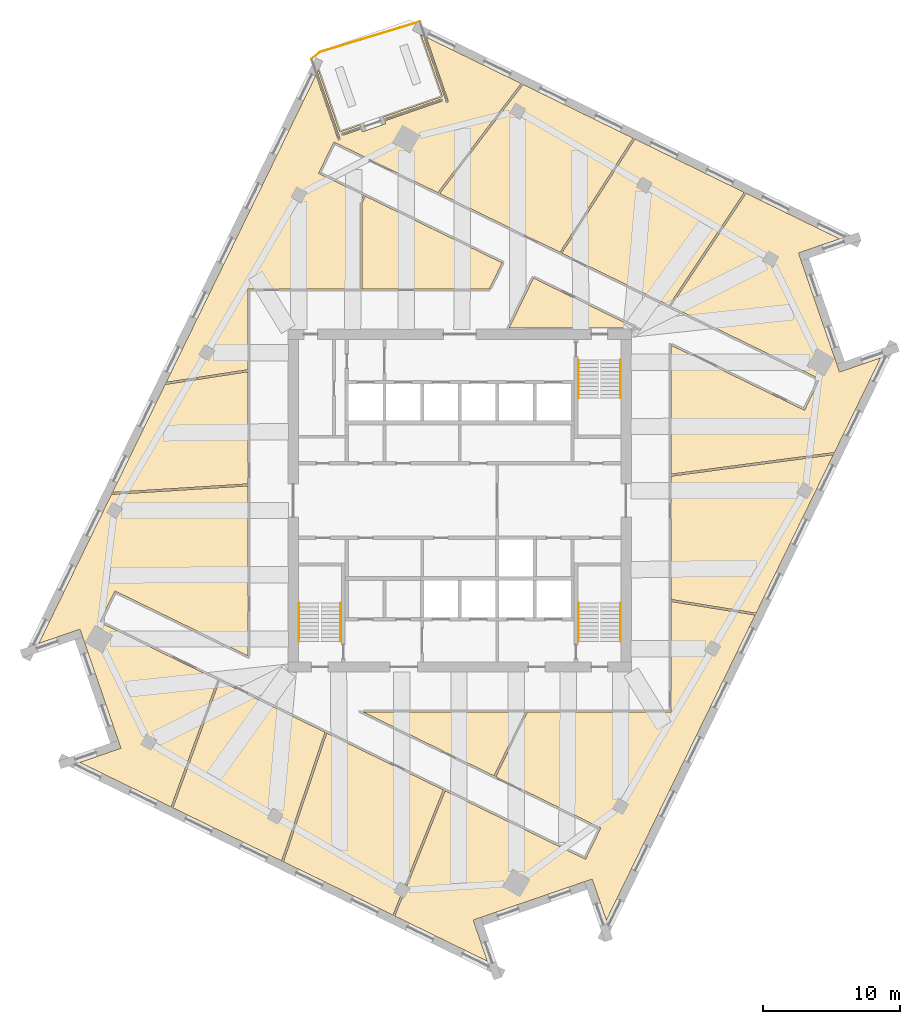
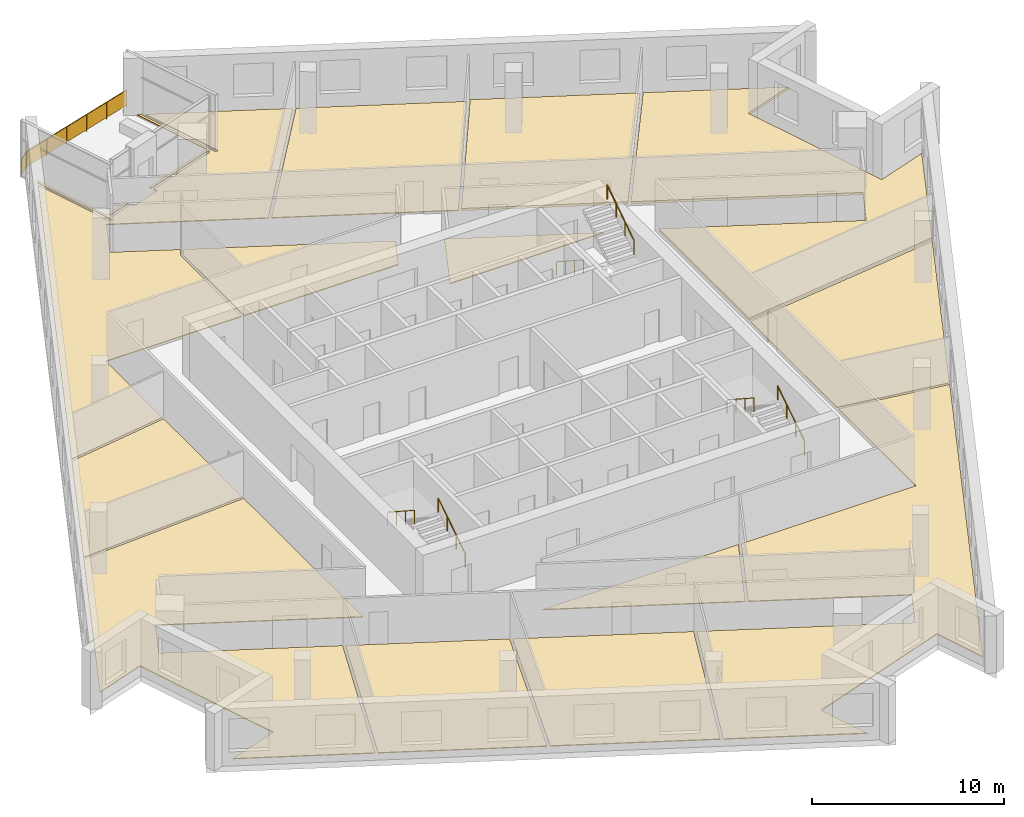
# One storey, part 12 of 13: 13 coverings, 7 railings.
"""IFC4 building model written with IfcOpenShell, lengths in metres."""

from ifc_helpers import new_model, si_unit, direction, frame, origin, origin_2d, place, context, subcontext, project, spatial, polyline, rectangle, circle, outline, extrude, material, layer, layer_set, type_object, element, save


model = new_model("IFC4")

# Units and contexts
model_context = context("Model", 3, precision=1e-05, world=origin(), true_north=direction((0.0, 1.0)))
body_context = subcontext(model_context, "Body", "Model", "MODEL_VIEW")
ifc_project = project(units=[si_unit("LENGTHUNIT", "METRE"), si_unit("AREAUNIT", "SQUARE_METRE"), si_unit("VOLUMEUNIT", "CUBIC_METRE"), si_unit("PLANEANGLEUNIT", "RADIAN"), si_unit("MASSUNIT", "GRAM", prefix="KILO")], contexts=[model_context])

# Site, building, storey
site_placement = place(None, origin())
site = spatial("IfcSite", under=ifc_project, at=site_placement, CompositionType="ELEMENT")
building_placement = place(site_placement, origin())
building = spatial("IfcBuilding", under=site, at=building_placement, Name="Dilmun Exchange Tower", CompositionType="ELEMENT")
storey_placement = place(building_placement, frame((0.0, 0.0, 286.89990234375)))
storey = spatial("IfcBuildingStorey", under=building, at=storey_placement, Name="L68", CompositionType="ELEMENT", Elevation=286.89990234375)

# Coverings
ifc_material_1 = material(Name="Carpet floor finish 50")
ifc_layer_1 = layer(ifc_material_1, 0.050048828125)
ifc_layer_set_1 = layer_set([ifc_layer_1], Name="Carpet floor finish 50")
covering_type_1 = type_object("IfcCoveringType", Name="Carpet floor finish 50", PredefinedType="FLOORING", material=ifc_layer_set_1)
covering_1_placement = place(storey_placement, origin())
element("IfcCovering", 1, at=covering_1_placement, inside=storey, type_object=covering_type_1, Name="Carpet floor finish 50 Regulator office", PredefinedType="FLOORING", context=body_context, shape_type="SweptSolid", body=[
    extrude(outline(polyline([(-15.47509765625, 1.076416015625), (-15.47509765625, -11.362548828125), (-25.224365234375, -6.607421875), (-26.34228515625, -8.8994140625), (-17.70556640625, -13.11181640625), (-21.1181640625, -22.408203125), (-27.798095703125, -19.150390625), (-24.789306640625, -18.1142578125), (-24.7890625, -18.1142578125), (-24.788818359375, -18.114013671875), (-24.788818359375, -18.114013671875), (-24.78857421875, -18.114013671875), (-24.78857421875, -18.11376953125), (-24.788330078125, -18.113525390625), (-24.7880859375, -18.11328125), (-24.7880859375, -18.11328125), (-24.7880859375, -18.113037109375), (-24.7880859375, -18.11279296875), (-24.7880859375, -18.11279296875), (-24.787841796875, -18.112548828125), (-24.787841796875, -18.1123046875), (-24.787841796875, -18.112060546875), (-24.7880859375, -18.11181640625), (-24.7880859375, -18.11181640625), (-24.9833984375, -17.544677734375), (-24.9833984375, -17.544677734375), (-24.9833984375, -17.54443359375), (-27.587646484375, -9.980712890625), (-27.587646484375, -9.980712890625), (-27.587890625, -9.98046875), (-27.587890625, -9.980224609375), (-27.783203125, -9.412841796875), (-27.783203125, -9.41259765625), (-27.783203125, -9.41259765625), (-27.783447265625, -9.412353515625), (-27.78369140625, -9.412109375), (-27.78369140625, -9.412109375), (-27.783935546875, -9.412109375), (-27.783935546875, -9.411865234375), (-27.7841796875, -9.41162109375), (-27.784423828125, -9.41162109375), (-27.78466796875, -9.41162109375), (-27.784912109375, -9.41162109375), (-27.784912109375, -9.41162109375), (-27.78515625, -9.41162109375), (-27.785400390625, -9.41162109375), (-27.785400390625, -9.41162109375), (-27.78564453125, -9.41162109375), (-30.79443359375, -10.44775390625), (-25.48046875, 0.447998046875), (-15.47509765625, 1.076416015625)])), origin(), (0.0, 0.0, 1.0), 0.050048828125),
])
covering_2_placement = place(storey_placement, origin())
element("IfcCovering", 2, at=covering_2_placement, inside=storey, type_object=covering_type_1, Name="Carpet floor finish 50 Meeting room 1", PredefinedType="FLOORING", context=body_context, shape_type="SweptSolid", body=[
    extrude(outline(polyline([(-15.47509765625, 9.432861328125), (-15.47509765625, 1.226806640625), (-25.40478515625, 0.60302734375), (-21.556884765625, 8.4921875), (-15.47509765625, 9.432861328125)])), origin(), (0.0, 0.0, 1.0), 0.050048828125),
])
covering_3_placement = place(storey_placement, origin())
element("IfcCovering", 3, at=covering_3_placement, inside=storey, type_object=covering_type_1, Name="Carpet floor finish 50 Meeting room 2", PredefinedType="FLOORING", context=body_context, shape_type="SweptSolid", body=[
    extrude(outline(polyline([(-17.570068359375, -13.177978515625), (-9.858154296875, -16.939208984375), (-13.024658203125, -26.355712890625), (-20.982666015625, -22.474365234375), (-17.570068359375, -13.177978515625)])), origin(), (0.0, 0.0, 1.0), 0.050048828125),
])
covering_4_placement = place(storey_placement, origin())
element("IfcCovering", 4, at=covering_4_placement, inside=storey, type_object=covering_type_1, Name="Carpet floor finish 50 Garden lounge", PredefinedType="FLOORING", context=body_context, shape_type="SweptSolid", body=[
    extrude(outline(polyline([(-15.47509765625, 9.584716796875), (-21.476806640625, 8.656494140625), (-10.52099609375, 31.119384765625), (-8.888916015625, 26.37939453125), (-8.888916015625, 26.379150390625), (-8.888671875, 26.37890625), (-8.888671875, 26.37890625), (-8.888427734375, 26.378662109375), (-8.88818359375, 26.37841796875), (-8.88818359375, 26.37841796875), (-8.887939453125, 26.37841796875), (-8.8876953125, 26.378173828125), (-8.8876953125, 26.378173828125), (-8.887451171875, 26.3779296875), (-8.88720703125, 26.3779296875), (-8.88720703125, 26.3779296875), (-8.886962890625, 26.3779296875), (-8.88671875, 26.3779296875), (-8.886474609375, 26.3779296875), (-8.88623046875, 26.378173828125), (-8.735107421875, 26.43017578125), (-8.73486328125, 26.43017578125), (-8.734619140625, 26.430419921875), (-8.734619140625, 26.430419921875), (-8.734375, 26.430419921875), (-8.734130859375, 26.4306640625), (-8.734130859375, 26.430908203125), (-8.73388671875, 26.430908203125), (-8.73388671875, 26.43115234375), (-8.73388671875, 26.431396484375), (-8.733642578125, 26.431396484375), (-8.733642578125, 26.431640625), (-8.733642578125, 26.431884765625), (-8.733642578125, 26.43212890625), (-8.733642578125, 26.432373046875), (-8.733642578125, 26.4326171875), (-8.73388671875, 26.4326171875), (-10.419189453125, 31.327880859375), (-10.33056640625, 31.509521484375), (-8.76953125, 26.9755859375), (-7.29248046875, 27.484375), (-7.24609375, 27.34912109375), (-8.652099609375, 26.864990234375), (-8.65234375, 26.864990234375), (-8.652587890625, 26.86474609375), (-8.652587890625, 26.86474609375), (-8.65283203125, 26.864501953125), (-8.65283203125, 26.864501953125), (-8.653076171875, 26.8642578125), (-8.653076171875, 26.864013671875), (-8.6533203125, 26.864013671875), (-8.6533203125, 26.86376953125), (-8.6533203125, 26.863525390625), (-8.6533203125, 26.86328125), (-8.6533203125, 26.86328125), (-8.6533203125, 26.863037109375), (-8.6533203125, 26.86279296875), (-8.6533203125, 26.862548828125), (-8.6533203125, 26.8623046875), (-8.601318359375, 26.711181640625), (-8.601318359375, 26.7109375), (-8.60107421875, 26.710693359375), (-8.60107421875, 26.710693359375), (-8.600830078125, 26.71044921875), (-8.6005859375, 26.710205078125), (-8.6005859375, 26.710205078125), (-8.600341796875, 26.710205078125), (-8.60009765625, 26.7099609375), (-8.60009765625, 26.7099609375), (-8.599853515625, 26.709716796875), (-8.599609375, 26.709716796875), (-8.599609375, 26.709716796875), (-8.599365234375, 26.709716796875), (-8.59912109375, 26.709716796875), (-8.598876953125, 26.709716796875), (-8.5986328125, 26.7099609375), (-7.192626953125, 27.194091796875), (-7.12158203125, 26.98779296875), (-7.12158203125, 26.98779296875), (-7.12158203125, 26.987548828125), (-7.121337890625, 26.9873046875), (-7.12109375, 26.9873046875), (-7.12109375, 26.987060546875), (-7.120849609375, 26.987060546875), (-7.120849609375, 26.98681640625), (-7.12060546875, 26.98681640625), (-7.120361328125, 26.98681640625), (-7.1201171875, 26.986572265625), (-7.1201171875, 26.986572265625), (-7.119873046875, 26.986572265625), (-7.11962890625, 26.986572265625), (-7.119384765625, 26.986572265625), (-7.119384765625, 26.986572265625), (-7.119140625, 26.98681640625), (-5.417236328125, 27.57275390625), (-5.4169921875, 27.57275390625), (-5.416748046875, 27.57275390625), (-5.416748046875, 27.572998046875), (-5.41650390625, 27.572998046875), (-5.41650390625, 27.5732421875), (-5.416259765625, 27.5732421875), (-5.416015625, 27.573486328125), (-5.416015625, 27.57373046875), (-5.416015625, 27.57373046875), (-5.416015625, 27.573974609375), (-5.416015625, 27.57421875), (-5.415771484375, 27.574462890625), (-5.415771484375, 27.57470703125), (-5.415771484375, 27.57470703125), (-5.416015625, 27.574951171875), (-5.416015625, 27.5751953125), (-5.48681640625, 27.78125), (-1.244140625, 29.2421875), (-1.243896484375, 29.2421875), (-1.243896484375, 29.2421875), (-1.24365234375, 29.242431640625), (-1.243408203125, 29.24267578125), (-1.243408203125, 29.24267578125), (-1.243408203125, 29.242919921875), (-1.2431640625, 29.242919921875), (-1.2431640625, 29.2431640625), (-1.242919921875, 29.243408203125), (-1.242919921875, 29.243408203125), (-1.242919921875, 29.24365234375), (-1.242919921875, 29.243896484375), (-1.242919921875, 29.244140625), (-1.242919921875, 29.244384765625), (-1.242919921875, 29.244384765625), (-1.242919921875, 29.24462890625), (-1.295166015625, 29.39599609375), (-1.295166015625, 29.396240234375), (-1.295166015625, 29.396240234375), (-1.29541015625, 29.396484375), (-1.29541015625, 29.396728515625), (-1.295654296875, 29.396728515625), (-1.295654296875, 29.39697265625), (-1.2958984375, 29.39697265625), (-1.296142578125, 29.397216796875), (-1.296142578125, 29.397216796875), (-1.29638671875, 29.397216796875), (-1.296630859375, 29.397216796875), (-1.296875, 29.397216796875), (-1.297119140625, 29.397216796875), (-1.297119140625, 29.397216796875), (-1.29736328125, 29.397216796875), (-1.297607421875, 29.397216796875), (-5.540283203125, 27.936279296875), (-5.5869140625, 28.071533203125), (-1.273193359375, 29.556884765625), (-2.83447265625, 34.0908203125), (-2.652587890625, 34.002197265625), (-0.967041015625, 29.10693359375), (-0.967041015625, 29.106689453125), (-0.967041015625, 29.106689453125), (-0.966796875, 29.1064453125), (-0.966796875, 29.106201171875), (-0.966552734375, 29.106201171875), (-0.966552734375, 29.106201171875), (-0.96630859375, 29.10595703125), (-0.966064453125, 29.10595703125), (-0.9658203125, 29.105712890625), (-0.9658203125, 29.105712890625), (-0.965576171875, 29.105712890625), (-0.96533203125, 29.105712890625), (-0.965087890625, 29.105712890625), (-0.965087890625, 29.105712890625), (-0.96484375, 29.105712890625), (-0.964599609375, 29.105712890625), (-0.813232421875, 29.157958984375), (-0.81298828125, 29.157958984375), (-0.81298828125, 29.157958984375), (-0.812744140625, 29.158203125), (-0.8125, 29.158203125), (-0.8125, 29.158447265625), (-0.8125, 29.158447265625), (-0.812255859375, 29.15869140625), (-0.812255859375, 29.158935546875), (-0.81201171875, 29.158935546875), (-0.81201171875, 29.1591796875), (-0.81201171875, 29.159423828125), (-0.81201171875, 29.15966796875), (-0.81201171875, 29.159912109375), (-0.81201171875, 29.159912109375), (-0.81201171875, 29.16015625), (-0.81201171875, 29.160400390625), (-2.444091796875, 33.900390625), (4.496826171875, 30.514892578125), (-1.604248046875, 22.52978515625), (-9.205078125, 26.23681640625), (-10.322998046875, 23.945068359375), (-7.03076171875, 22.33935546875), (-7.28466796875, 21.818603515625), (-7.28466796875, 15.47509765625), (-15.47509765625, 15.47509765625), (-15.47509765625, 9.584716796875)])), origin(), (0.0, 0.0, 1.0), 0.050048828125),
])
covering_5_placement = place(storey_placement, origin())
element("IfcCovering", 5, at=covering_5_placement, inside=storey, type_object=covering_type_1, Name="Carpet floor finish 50 Training room 1", PredefinedType="FLOORING", context=body_context, shape_type="SweptSolid", body=[
    extrude(outline(polyline([(-9.72216796875, -17.005615234375), (-1.2001953125, -21.162109375), (-4.884521484375, -30.325927734375), (-12.888671875, -26.422119140625), (-9.72216796875, -17.005615234375)])), origin(), (0.0, 0.0, 1.0), 0.050048828125),
])
covering_6_placement = place(storey_placement, origin())
element("IfcCovering", 6, at=covering_6_placement, inside=storey, type_object=covering_type_1, Name="Carpet floor finish 50 Meeting room 3", PredefinedType="FLOORING", context=body_context, shape_type="SweptSolid", body=[
    extrude(outline(polyline([(-7.134521484375, 15.47509765625), (-7.134521484375, 21.7841796875), (-6.89599609375, 22.2734375), (3.10107421875, 17.397705078125), (2.163330078125, 15.47509765625), (-7.134521484375, 15.47509765625)])), origin(), (0.0, 0.0, 1.0), 0.050048828125),
])
covering_7_placement = place(storey_placement, origin())
element("IfcCovering", 7, at=covering_7_placement, inside=storey, type_object=covering_type_1, Name="Carpet floor finish 50 Meeting room 4", PredefinedType="FLOORING", context=body_context, shape_type="SweptSolid", body=[
    extrude(outline(polyline([(4.77734375, -15.47509765625), (2.505859375, -20.13232421875), (-7.043212890625, -15.47509765625), (4.77734375, -15.47509765625)])), origin(), (0.0, 0.0, 1.0), 0.050048828125),
])
covering_8_placement = place(storey_placement, origin())
element("IfcCovering", 8, at=covering_8_placement, inside=storey, type_object=covering_type_1, Name="Carpet floor finish 50 Research library", PredefinedType="FLOORING", context=body_context, shape_type="SweptSolid", body=[
    extrude(outline(polyline([(-1.06494140625, -21.227783203125), (9.205078125, -26.23681640625), (10.322998046875, -23.945068359375), (2.640625, -20.197998046875), (4.944091796875, -15.47509765625), (15.47509765625, -15.47509765625), (15.47509765625, -7.385009765625), (21.615234375, -8.372802734375), (10.72607421875, -30.69873046875), (9.690185546875, -27.68994140625), (9.690185546875, -27.689697265625), (9.68994140625, -27.689453125), (9.68994140625, -27.689453125), (9.689697265625, -27.689208984375), (9.689697265625, -27.689208984375), (9.689453125, -27.68896484375), (9.689208984375, -27.688720703125), (9.689208984375, -27.688720703125), (9.68896484375, -27.688720703125), (9.688720703125, -27.688720703125), (9.688720703125, -27.688720703125), (9.6884765625, -27.6884765625), (9.688232421875, -27.6884765625), (9.68798828125, -27.688720703125), (9.687744140625, -27.688720703125), (9.6875, -27.688720703125), (9.12060546875, -27.8837890625), (9.12060546875, -27.8837890625), (9.120361328125, -27.884033203125), (1.55615234375, -30.488525390625), (0.98876953125, -30.683837890625), (0.988525390625, -30.68408203125), (0.98828125, -30.68408203125), (0.98828125, -30.68408203125), (0.988037109375, -30.684326171875), (0.988037109375, -30.684326171875), (0.98779296875, -30.6845703125), (0.98779296875, -30.684814453125), (0.987548828125, -30.684814453125), (0.987548828125, -30.68505859375), (0.987548828125, -30.685302734375), (0.987548828125, -30.685546875), (0.9873046875, -30.685546875), (0.9873046875, -30.685791015625), (0.987548828125, -30.68603515625), (0.987548828125, -30.686279296875), (0.987548828125, -30.686279296875), (2.023681640625, -33.6953125), (-4.74951171875, -30.391845703125), (-1.06494140625, -21.227783203125)])), origin(), (0.0, 0.0, 1.0), 0.050048828125),
])
covering_9_placement = place(storey_placement, origin())
element("IfcCovering", 9, at=covering_9_placement, inside=storey, type_object=covering_type_1, Name="Carpet floor finish 50 Training room 2", PredefinedType="FLOORING", context=body_context, shape_type="SweptSolid", body=[
    extrude(outline(polyline([(15.47509765625, -7.233154296875), (15.47509765625, 1.790771484375), (27.33740234375, 3.359375), (21.683837890625, -8.23193359375), (15.47509765625, -7.233154296875)])), origin(), (0.0, 0.0, 1.0), 0.050048828125),
])
ifc_material_2 = material(Name="Raised access floor 150")
ifc_layer_2 = layer(ifc_material_2, 0.14990234375)
ifc_layer_set_2 = layer_set([ifc_layer_2], Name="Raised access floor 150")
covering_type_2 = type_object("IfcCoveringType", Name="Raised access floor 150", PredefinedType="FLOORING", material=ifc_layer_set_2)
covering_10_placement = place(storey_placement, origin())
element("IfcCovering", 10, at=covering_10_placement, inside=storey, type_object=covering_type_2, Name="Raised access floor 150 Analytics room 1", PredefinedType="FLOORING", context=body_context, shape_type="SweptSolid", body=[
    extrude(outline(polyline([(15.3076171875, 14.28125), (7.47216796875, 18.102783203125), (12.822509765625, 26.454345703125), (20.820556640625, 22.553466796875), (15.3076171875, 14.28125)])), origin(), (0.0, 0.0, 1.0), 0.150146484375),
])
covering_11_placement = place(storey_placement, origin())
element("IfcCovering", 11, at=covering_11_placement, inside=storey, type_object=covering_type_2, Name="Raised access floor 150 Analytics room 2", PredefinedType="FLOORING", context=body_context, shape_type="SweptSolid", body=[
    extrude(outline(polyline([(26.34228515625, 8.8994140625), (15.44384765625, 14.21484375), (20.95654296875, 22.487060546875), (27.798095703125, 19.150390625), (24.789306640625, 18.1142578125), (24.7890625, 18.1142578125), (24.788818359375, 18.114013671875), (24.788818359375, 18.114013671875), (24.78857421875, 18.114013671875), (24.78857421875, 18.11376953125), (24.788330078125, 18.113525390625), (24.7880859375, 18.11328125), (24.7880859375, 18.11328125), (24.7880859375, 18.113037109375), (24.7880859375, 18.11279296875), (24.7880859375, 18.11279296875), (24.787841796875, 18.112548828125), (24.787841796875, 18.1123046875), (24.787841796875, 18.112060546875), (24.7880859375, 18.11181640625), (24.7880859375, 18.11181640625), (24.9833984375, 17.544677734375), (24.9833984375, 17.544677734375), (24.9833984375, 17.54443359375), (27.587646484375, 9.980712890625), (27.587646484375, 9.980712890625), (27.587890625, 9.98046875), (27.587890625, 9.980224609375), (27.783203125, 9.412841796875), (27.783203125, 9.41259765625), (27.783203125, 9.41259765625), (27.783447265625, 9.412353515625), (27.78369140625, 9.412109375), (27.78369140625, 9.412109375), (27.783935546875, 9.412109375), (27.783935546875, 9.411865234375), (27.7841796875, 9.41162109375), (27.784423828125, 9.41162109375), (27.78466796875, 9.41162109375), (27.784912109375, 9.41162109375), (27.784912109375, 9.41162109375), (27.78515625, 9.41162109375), (27.785400390625, 9.41162109375), (27.785400390625, 9.41162109375), (27.78564453125, 9.41162109375), (30.79443359375, 10.44775390625), (27.416259765625, 3.52099609375), (15.47509765625, 1.942138671875), (15.47509765625, 11.362548828125), (25.224365234375, 6.607421875), (26.34228515625, 8.8994140625)])), origin(), (0.0, 0.0, 1.0), 0.150146484375),
])

# Railings
ifc_material_3 = material(Name="Stainless steel", Category="steel")
railing_type_1 = type_object("IfcRailingType", Name="Stair handrail 900", PredefinedType="HANDRAIL", material=ifc_material_3)
railing_1_placement = place(storey_placement, frame((8.699951171875, 10.300048828125, 0.181884765625)))
element("IfcRailing", 12, at=railing_1_placement, inside=storey, type_object=railing_type_1, Name="L68 ST1 stair handrail 1", PredefinedType="HANDRAIL", context=body_context, shape_type="SweptSolid", body=[
    extrude(circle(Radius=0.02392578125, at=origin_2d()), frame((0.0, 0.0, 0.8759765625), z_axis=(0.0, -0.838705829183, 0.544584733623), x_axis=(1.0, 0.0, 0.0)), (0.0, 0.0, 1.0), 3.338623046875),
    extrude(circle(Radius=0.02099609375, at=origin_2d()), origin(), (0.0, 0.0, 1.0), 0.851806640625),
    extrude(circle(Radius=0.02099609375, at=origin_2d()), frame((0.0, -0.933349609375, 0.60595703125)), (0.0, 0.0, 1.0), 0.851806640625),
    extrude(circle(Radius=0.02099609375, at=origin_2d()), frame((0.0, -1.86669921875, 1.212158203125)), (0.0, 0.0, 1.0), 0.851806640625),
    extrude(circle(Radius=0.02099609375, at=origin_2d()), frame((0.0, -2.800048828125, 1.818115234375)), (0.0, 0.0, 1.0), 0.851806640625),
])
for number, where, name in (
    (13, (11.75, 7.5, 2.181884765625), "L68 ST1 stair handrail 2"),
    (14, (-8.699951171875, -10.300048828125, 0.181884765625), "L68 ST2 stair handrail 1"),
):
    element("IfcRailing", number, at=place(storey_placement, frame(where)), inside=storey, type_object=railing_type_1, Name=name, PredefinedType="HANDRAIL", context=body_context, shape_type="SweptSolid", body=[
        extrude(circle(Radius=0.02392578125, at=origin_2d()), frame((0.0, 0.0, 0.8759765625), z_axis=(0.0, 0.838705829183, 0.544584733623), x_axis=(-1.0, 0.0, 0.0)), (0.0, 0.0, 1.0), 3.338623046875),
        extrude(circle(Radius=0.02099609375, at=origin_2d()), origin(), (0.0, 0.0, 1.0), 0.851806640625),
        extrude(circle(Radius=0.02099609375, at=origin_2d()), frame((0.0, 0.933349609375, 0.60595703125)), (0.0, 0.0, 1.0), 0.851806640625),
        extrude(circle(Radius=0.02099609375, at=origin_2d()), frame((0.0, 1.86669921875, 1.212158203125)), (0.0, 0.0, 1.0), 0.851806640625),
        extrude(circle(Radius=0.02099609375, at=origin_2d()), frame((0.0, 2.800048828125, 1.818115234375)), (0.0, 0.0, 1.0), 0.851806640625),
    ])
railing_2_placement = place(storey_placement, frame((-11.75, -7.5, 2.181884765625)))
element("IfcRailing", 15, at=railing_2_placement, inside=storey, type_object=railing_type_1, Name="L68 ST2 stair handrail 2", PredefinedType="HANDRAIL", context=body_context, shape_type="SweptSolid", body=[
    extrude(circle(Radius=0.02392578125, at=origin_2d()), frame((0.0, 0.0, 0.8759765625), z_axis=(0.0, -0.838705829183, 0.544584733623), x_axis=(1.0, 0.0, 0.0)), (0.0, 0.0, 1.0), 3.338623046875),
    extrude(circle(Radius=0.02099609375, at=origin_2d()), origin(), (0.0, 0.0, 1.0), 0.851806640625),
    extrude(circle(Radius=0.02099609375, at=origin_2d()), frame((0.0, -0.933349609375, 0.60595703125)), (0.0, 0.0, 1.0), 0.851806640625),
    extrude(circle(Radius=0.02099609375, at=origin_2d()), frame((0.0, -1.86669921875, 1.212158203125)), (0.0, 0.0, 1.0), 0.851806640625),
    extrude(circle(Radius=0.02099609375, at=origin_2d()), frame((0.0, -2.800048828125, 1.818115234375)), (0.0, 0.0, 1.0), 0.851806640625),
])
railing_3_placement = place(storey_placement, frame((11.75, -10.300048828125, 0.181884765625)))
element("IfcRailing", 16, at=railing_3_placement, inside=storey, type_object=railing_type_1, Name="L68 ST3 stair handrail 1", PredefinedType="HANDRAIL", context=body_context, shape_type="SweptSolid", body=[
    extrude(circle(Radius=0.02392578125, at=origin_2d()), frame((0.0, 0.0, 0.8759765625), z_axis=(0.0, 0.838705829183, 0.544584733623), x_axis=(-1.0, 0.0, 0.0)), (0.0, 0.0, 1.0), 3.338623046875),
    extrude(circle(Radius=0.02099609375, at=origin_2d()), origin(), (0.0, 0.0, 1.0), 0.851806640625),
    extrude(circle(Radius=0.02099609375, at=origin_2d()), frame((0.0, 0.933349609375, 0.60595703125)), (0.0, 0.0, 1.0), 0.851806640625),
    extrude(circle(Radius=0.02099609375, at=origin_2d()), frame((0.0, 1.86669921875, 1.212158203125)), (0.0, 0.0, 1.0), 0.851806640625),
    extrude(circle(Radius=0.02099609375, at=origin_2d()), frame((0.0, 2.800048828125, 1.818115234375)), (0.0, 0.0, 1.0), 0.851806640625),
])
railing_4_placement = place(storey_placement, frame((8.699951171875, -7.5, 2.181884765625)))
element("IfcRailing", 17, at=railing_4_placement, inside=storey, type_object=railing_type_1, Name="L68 ST3 stair handrail 2", PredefinedType="HANDRAIL", context=body_context, shape_type="SweptSolid", body=[
    extrude(circle(Radius=0.02392578125, at=origin_2d()), frame((0.0, 0.0, 0.8759765625), z_axis=(0.0, -0.838705829183, 0.544584733623), x_axis=(1.0, 0.0, 0.0)), (0.0, 0.0, 1.0), 3.338623046875),
    extrude(circle(Radius=0.02099609375, at=origin_2d()), origin(), (0.0, 0.0, 1.0), 0.851806640625),
    extrude(circle(Radius=0.02099609375, at=origin_2d()), frame((0.0, -0.933349609375, 0.60595703125)), (0.0, 0.0, 1.0), 0.851806640625),
    extrude(circle(Radius=0.02099609375, at=origin_2d()), frame((0.0, -1.86669921875, 1.212158203125)), (0.0, 0.0, 1.0), 0.851806640625),
    extrude(circle(Radius=0.02099609375, at=origin_2d()), frame((0.0, -2.800048828125, 1.818115234375)), (0.0, 0.0, 1.0), 0.851806640625),
])

# Covering
ifc_material_4 = material(Name="Stone floor finish 50", Category="masonry")
ifc_layer_3 = layer(ifc_material_4, 0.050048828125)
ifc_layer_set_3 = layer_set([ifc_layer_3], Name="Stone floor finish 50")
covering_type_3 = type_object("IfcCoveringType", Name="Stone floor finish 50", PredefinedType="FLOORING", material=ifc_layer_set_3)
covering_12_placement = place(storey_placement, origin())
element("IfcCovering", 18, at=covering_12_placement, inside=storey, type_object=covering_type_3, Name="Stone floor finish 50 Reception", PredefinedType="FLOORING", context=body_context, shape_type="SweptSolid", body=[
    extrude(outline(polyline([(7.33642578125, 18.169189453125), (-1.466796875, 22.462646484375), (4.63427734375, 30.447998046875), (12.686767578125, 26.5205078125), (7.33642578125, 18.169189453125)])), origin(), (0.0, 0.0, 1.0), 0.050048828125),
])

# Railing
railing_type_2 = type_object("IfcRailingType", Name="Terrace guard 1100 stainless steel", PredefinedType="GUARDRAIL", material=ifc_material_3)
railing_5_placement = place(storey_placement, frame((-10.844970703125, 32.312255859375, 0.0)))
element("IfcRailing", 19, at=railing_5_placement, inside=storey, type_object=railing_type_2, Name="Terrace guard 1", PredefinedType="GUARDRAIL", context=body_context, shape_type="SweptSolid", body=[
    extrude(circle(Radius=0.02392578125, at=origin_2d()), frame((0.0, 0.0, 1.076171875), z_axis=(0.773710716646, 0.633539049268, 0.0), x_axis=(-0.633539049268, 0.773710716646, 0.0)), (0.0, 0.0, 1.0), 0.794189453125),
    extrude(rectangle(XDim=0.011962890625, YDim=0.951904296875, at=origin_2d()), frame((0.0, 0.0, 0.576171875), z_axis=(0.773710716646, 0.633539049268, 0.0), x_axis=(-0.633539049268, 0.773710716646, 0.0)), (0.0, 0.0, 1.0), 0.794189453125),
    extrude(circle(Radius=0.02392578125, at=origin_2d()), frame((0.614501953125, 0.503173828125, 1.076171875), z_axis=(0.956657233693, 0.291216306588, 0.0), x_axis=(-0.291216306588, 0.956657233693, 0.0)), (0.0, 0.0, 1.0), 7.63818359375),
    extrude(rectangle(XDim=0.011962890625, YDim=0.951904296875, at=origin_2d()), frame((0.614501953125, 0.503173828125, 0.576171875), z_axis=(0.956657233693, 0.291216306588, 0.0), x_axis=(-0.291216306588, 0.956657233693, 0.0)), (0.0, 0.0, 1.0), 7.63818359375),
    extrude(circle(Radius=0.02099609375, at=origin_2d()), origin(), (0.0, 0.0, 1.0), 1.052001953125),
    extrude(circle(Radius=0.02099609375, at=origin_2d()), frame((0.614501953125, 0.503173828125, 0.0)), (0.0, 0.0, 1.0), 1.052001953125),
    extrude(circle(Radius=0.02099609375, at=origin_2d()), frame((2.075927734375, 0.947998046875, 0.0)), (0.0, 0.0, 1.0), 1.052001953125),
    extrude(circle(Radius=0.02099609375, at=origin_2d()), frame((3.537353515625, 1.392822265625, 0.0)), (0.0, 0.0, 1.0), 1.052001953125),
    extrude(circle(Radius=0.02099609375, at=origin_2d()), frame((4.998779296875, 1.837890625, 0.0)), (0.0, 0.0, 1.0), 1.052001953125),
    extrude(circle(Radius=0.02099609375, at=origin_2d()), frame((6.460205078125, 2.28271484375, 0.0)), (0.0, 0.0, 1.0), 1.052001953125),
    extrude(circle(Radius=0.02099609375, at=origin_2d()), frame((7.921630859375, 2.7275390625, 0.0)), (0.0, 0.0, 1.0), 1.052001953125),
])

# Covering
ifc_material_5 = material(Name="Tile floor finish 50")
ifc_layer_4 = layer(ifc_material_5, 0.050048828125)
ifc_layer_set_4 = layer_set([ifc_layer_4], Name="Tile floor finish 50")
covering_type_4 = type_object("IfcCoveringType", Name="Tile floor finish 50", PredefinedType="FLOORING", material=ifc_layer_set_4)
covering_13_placement = place(storey_placement, origin())
element("IfcCovering", 20, at=covering_13_placement, inside=storey, type_object=covering_type_4, Name="Tile floor finish 50 Pantry", PredefinedType="FLOORING", context=body_context, shape_type="SweptSolid", body=[
    extrude(outline(polyline([(3.610595703125, 12.625), (5.39306640625, 16.27978515625), (12.88671875, 12.625), (3.610595703125, 12.625)])), origin(), (0.0, 0.0, 1.0), 0.050048828125),
])

save(model, "model.ifc")
